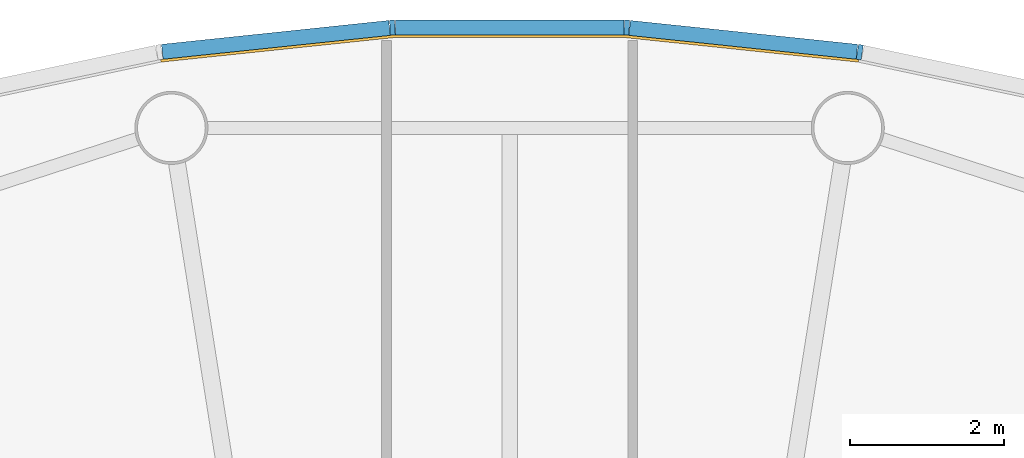
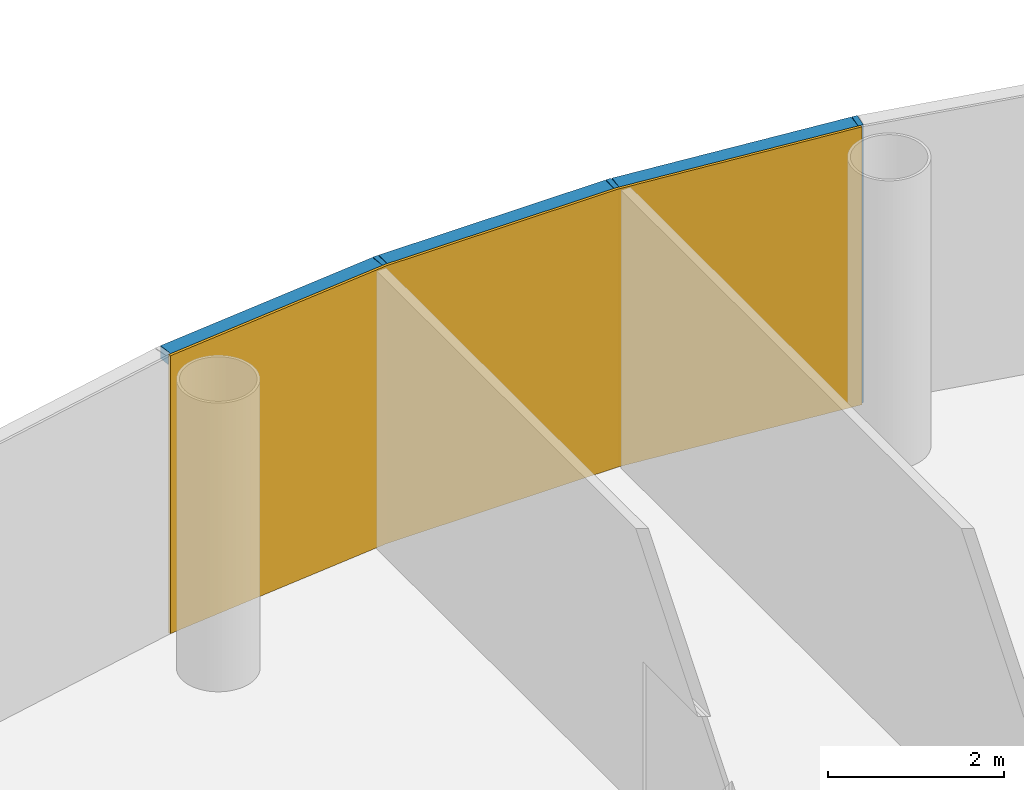
# One storey, part 10 of 12: 6 members, 1 curtain wall.
"""IFC4 building model written with IfcOpenShell, lengths in metres."""

from ifc_helpers import new_model, si_unit, direction, frame, origin, origin_2d, place, context, subcontext, project, spatial, polyline, rectangle, outline, extrude, material, layer, layer_set, material_profile, profile_set, type_object, element, aggregate, save


model = new_model("IFC4")

# Units and contexts
model_context = context("Model", 3, precision=1e-05, world=origin(), true_north=direction((0.0, 1.0)))
body_context = subcontext(model_context, "Body", "Model", "MODEL_VIEW")
ifc_project = project(units=[si_unit("LENGTHUNIT", "METRE"), si_unit("AREAUNIT", "SQUARE_METRE"), si_unit("VOLUMEUNIT", "CUBIC_METRE"), si_unit("PLANEANGLEUNIT", "RADIAN"), si_unit("MASSUNIT", "GRAM", prefix="KILO")], contexts=[model_context])

# Member
ifc_material_1 = material(Name="Anodised aluminium", Category="aluminium")
ifc_material_profile_1 = material_profile(ifc_material_1, rectangle(XDim=0.06494140625, YDim=0.195068359375, at=origin_2d()), Name="Mullion 65 x 195 mm anodised aluminium")
ifc_profile_set_1 = profile_set([ifc_material_profile_1], Name="Anodised aluminium")
member_type_1 = type_object("IfcMemberType", Name="Mullion 65 x 195 mm anodised aluminium", PredefinedType="MULLION", material=ifc_profile_set_1)
site_placement = place(None, origin())
building_placement = place(site_placement, origin())
storey_placement = place(building_placement, frame((0.0, 0.0, 322.0)))
member_1_placement = place(storey_placement, frame((94.5517578125, 108.7392578125, 0.0), z_axis=(0.0, 0.0, 1.0), x_axis=(-0.987688340595, 0.15643446504, 0.0)))
member_1 = element("IfcMember", 1, at=member_1_placement, type_object=member_type_1, Name="MULLION L74-12", PredefinedType="MULLION", context=body_context, shape_type="SweptSolid", body=[
    extrude(rectangle(XDim=0.06494140625, YDim=0.195068359375, at=origin_2d()), origin(), (0.0, 0.0, 1.0), 3.85009765625),
])

member_2_placement = place(storey_placement, frame((91.52294921875, 109.0576171875, 0.0), z_axis=(0.0, 0.0, 1.0), x_axis=(-0.998629534755, 0.052335956243, 0.0)))
member_2 = element("IfcMember", 2, at=member_2_placement, type_object=member_type_1, Name="MULLION L74-13", PredefinedType="MULLION", context=body_context, shape_type="SweptSolid", body=[
    extrude(rectangle(XDim=0.06494140625, YDim=0.195068359375, at=origin_2d()), origin(), (0.0, 0.0, 1.0), 3.85009765625),
])

member_3_placement = place(storey_placement, frame((88.47705078125, 109.0576171875, 0.0), z_axis=(0.0, 0.0, 1.0), x_axis=(-0.998629534755, -0.052335956243, 0.0)))
member_3 = element("IfcMember", 3, at=member_3_placement, type_object=member_type_1, Name="MULLION L74-14", PredefinedType="MULLION", context=body_context, shape_type="SweptSolid", body=[
    extrude(rectangle(XDim=0.06494140625, YDim=0.195068359375, at=origin_2d()), origin(), (0.0, 0.0, 1.0), 3.85009765625),
])

ifc_material_2 = material(Name="Anodised aluminium", Category="aluminium")
ifc_material_profile_2 = material_profile(ifc_material_2, rectangle(XDim=0.195068359375, YDim=0.179931640625, at=origin_2d()), Name="Transom 180 x 195 mm anodised aluminium")
ifc_profile_set_2 = profile_set([ifc_material_profile_2], Name="Anodised aluminium")
member_type_2 = type_object("IfcMemberType", Name="Transom 180 x 195 mm anodised aluminium", PredefinedType="USERDEFINED", material=ifc_profile_set_2)
member_4_placement = place(storey_placement, frame((94.514404296875, 108.743408203125, 3.760009765625), z_axis=(-0.994528397827, 0.104466577987, 0.0), x_axis=(-0.104466577987, -0.994528397827, 0.0)))
member_4 = element("IfcMember", 4, at=member_4_placement, type_object=member_type_2, Name="TRANSOM L74-12", ObjectType="TRANSOM", PredefinedType="USERDEFINED", context=body_context, shape_type="SweptSolid", body=[
    extrude(rectangle(XDim=0.195068359375, YDim=0.179931640625, at=origin_2d()), origin(), (0.0, 0.0, 1.0), 2.970458984375),
])

member_5_placement = place(storey_placement, frame((91.4853515625, 109.057861328125, 3.760009765625), z_axis=(-1.0, 0.0, 0.0), x_axis=(0.0, -1.0, 0.0)))
member_5 = element("IfcMember", 5, at=member_5_placement, type_object=member_type_2, Name="TRANSOM L74-13", ObjectType="TRANSOM", PredefinedType="USERDEFINED", context=body_context, shape_type="SweptSolid", body=[
    extrude(rectangle(XDim=0.195068359375, YDim=0.179931640625, at=origin_2d()), origin(), (0.0, 0.0, 1.0), 2.970703125),
])

member_6_placement = place(storey_placement, frame((88.439697265625, 109.0537109375, 3.760009765625), z_axis=(-0.994528397827, -0.104466577987, 0.0), x_axis=(0.104466577987, -0.994528397827, 0.0)))
member_6 = element("IfcMember", 6, at=member_6_placement, type_object=member_type_2, Name="TRANSOM L74-14", ObjectType="TRANSOM", PredefinedType="USERDEFINED", context=body_context, shape_type="SweptSolid", body=[
    extrude(rectangle(XDim=0.195068359375, YDim=0.179931640625, at=origin_2d()), origin(), (0.0, 0.0, 1.0), 2.970458984375),
])

# Site, building, storey
site = spatial("IfcSite", under=ifc_project, at=site_placement, CompositionType="ELEMENT")
building = spatial("IfcBuilding", under=site, at=building_placement, Name="Entoto Ring Tower", CompositionType="ELEMENT")
storey = spatial("IfcBuildingStorey", under=building, at=storey_placement, Name="L74", CompositionType="ELEMENT", Elevation=322.0)

# Curtain wall
ifc_material_3 = material(Name="Clear low-iron glass", Category="glass")
ifc_layer = layer(ifc_material_3, 0.033935546875)
ifc_layer_set = layer_set([ifc_layer], Name="Clear low-iron glass")
curtain_wall_type = type_object("IfcCurtainWallType", Name="Curtain wall system CW5 glazing 34 mm", PredefinedType="NOTDEFINED", material=ifc_layer_set)
curtain_wall_placement = place(storey_placement, origin())
curtain_wall = element("IfcCurtainWall", 7, at=curtain_wall_placement, inside=storey, type_object=curtain_wall_type, Name="CW5 L74-05", PredefinedType="NOTDEFINED", context=body_context, shape_type="SweptSolid", body=[
    extrude(outline(polyline([(94.53662109375, 108.64306640625), (91.517822265625, 108.960205078125), (88.482177734375, 108.960205078125), (85.46337890625, 108.64306640625), (85.46875, 108.609375), (88.484130859375, 108.92626953125), (91.515869140625, 108.92626953125), (94.53125, 108.609375), (94.53662109375, 108.64306640625)])), origin(), (0.0, 0.0, 1.0), 3.85009765625),
])

aggregate(curtain_wall, [member_1, member_2, member_3, member_4, member_5, member_6])

save(model, "model.ifc")
